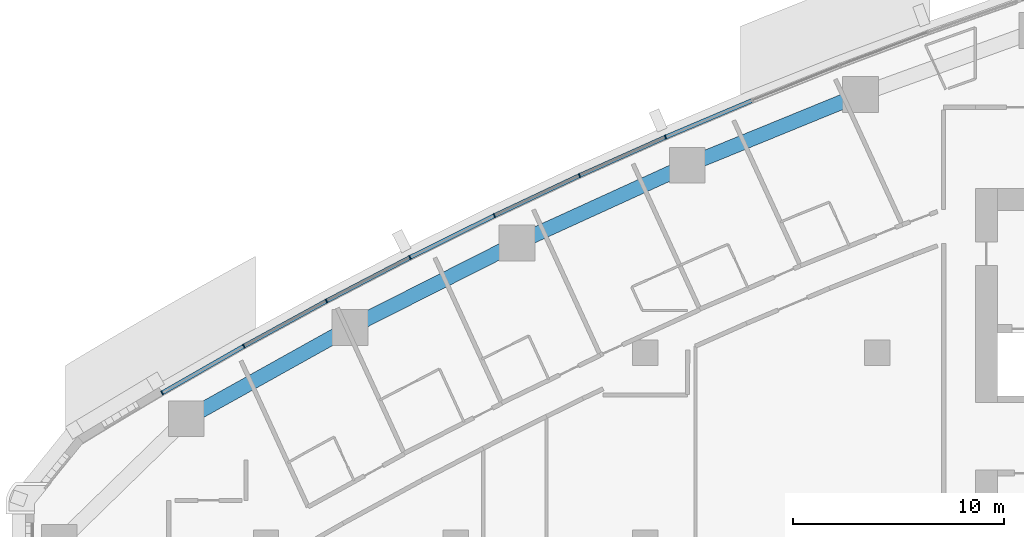
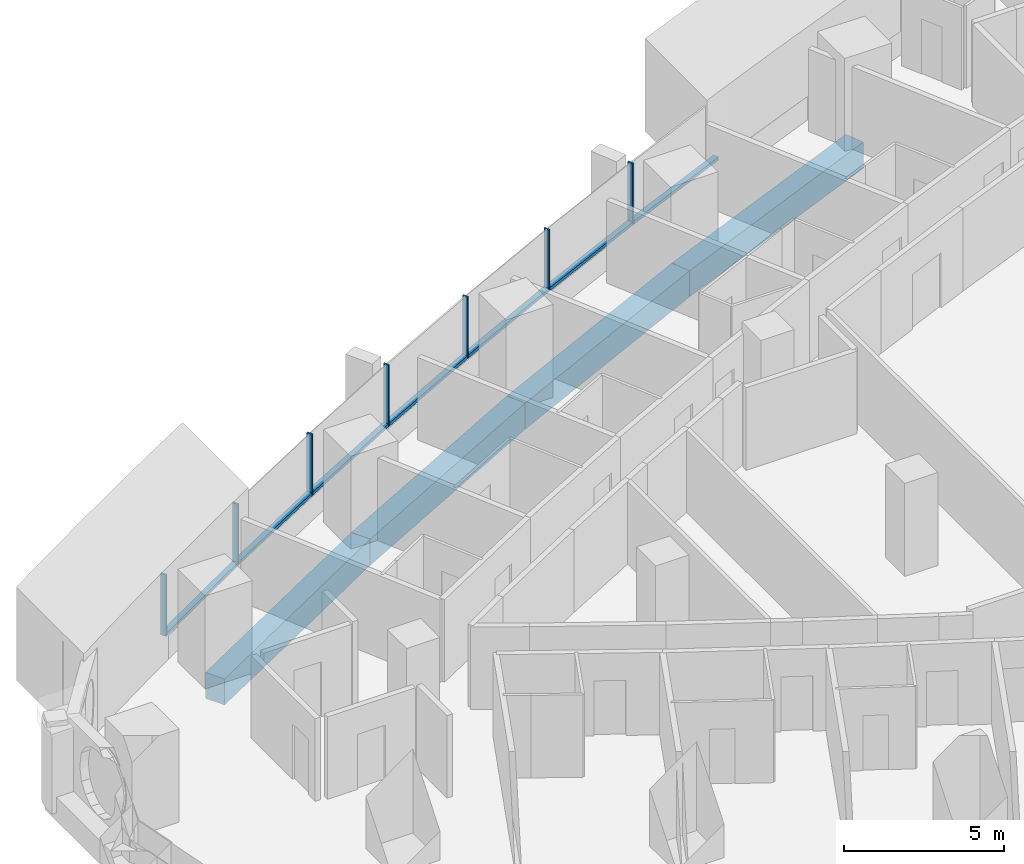
# One storey, part 5 of 17: 14 members, 4 beams, 4 elements without a shape of their own.
"""IFC4 building model written with IfcOpenShell, lengths in metres."""

from ifc_helpers import new_model, si_unit, direction, frame, origin, origin_2d, place, context, subcontext, project, spatial, rectangle, extrude, material, layer, layer_set, material_profile, profile_set, type_object, element, aggregate, save


model = new_model("IFC4")

# Units and contexts
model_context = context("Model", 3, precision=1e-05, world=origin(), true_north=direction((0.0, 1.0)))
body_context = subcontext(model_context, "Body", "Model", "MODEL_VIEW")
ifc_project = project(units=[si_unit("LENGTHUNIT", "METRE"), si_unit("AREAUNIT", "SQUARE_METRE"), si_unit("VOLUMEUNIT", "CUBIC_METRE"), si_unit("PLANEANGLEUNIT", "RADIAN"), si_unit("MASSUNIT", "GRAM", prefix="KILO")], contexts=[model_context])

# Site, building, storey
site_placement = place(None, origin())
site = spatial("IfcSite", under=ifc_project, at=site_placement, CompositionType="ELEMENT")
building_placement = place(site_placement, origin())
building = spatial("IfcBuilding", under=site, at=building_placement, Name="Ostrand Prow Hotel Tower", CompositionType="ELEMENT")
storey_placement = place(building_placement, frame((0.0, 0.0, 116.85009765625)))
storey = spatial("IfcBuildingStorey", under=building, at=storey_placement, Name="L28", CompositionType="ELEMENT", Elevation=116.85009765625)

# Beams
ifc_material_1 = material(Name="Concrete C80/95", Category="concrete")
ifc_material_profile_1 = material_profile(ifc_material_1, rectangle(XDim=0.699951171875, YDim=1.0, at=origin_2d()), Name="RC 700x1000")
ifc_profile_set_1 = profile_set([ifc_material_profile_1], Name="Concrete C80/95")
beam_type = type_object("IfcBeamType", Name="Edge beam 700x1000 C80/95", PredefinedType="SPANDREL", material=ifc_profile_set_1)
beam_1_placement = place(storey_placement, frame((44.210693359375, 21.263671875, -0.800048828125), z_axis=(-0.925612172894, -0.378473387955, 0.0), x_axis=(0.378473387955, -0.925612172894, 0.0)))
element("IfcBeam", 1, at=beam_1_placement, inside=storey, type_object=beam_type, Name="Edge beam N2-N3", PredefinedType="SPANDREL", context=body_context, shape_type="SweptSolid", body=[
    extrude(rectangle(XDim=0.699951171875, YDim=1.0, at=origin_2d()), origin(), (0.0, 0.0, 1.0), 8.88330078125),
])
beam_2_placement = place(storey_placement, frame((35.98828125, 17.901611328125, -0.800048828125), z_axis=(-0.909681006953, -0.415307675813, 0.0), x_axis=(0.415307675813, -0.909681006953, 0.0)))
element("IfcBeam", 2, at=beam_2_placement, inside=storey, type_object=beam_type, Name="Edge beam N3-N4", PredefinedType="SPANDREL", context=body_context, shape_type="SweptSolid", body=[
    extrude(rectangle(XDim=0.699951171875, YDim=1.0, at=origin_2d()), origin(), (0.0, 0.0, 1.0), 8.883544921875),
])
beam_3_placement = place(storey_placement, frame((27.906982421875, 14.212158203125, -0.800048828125), z_axis=(-0.892284288592, -0.451473973039, 0.0), x_axis=(0.451473973039, -0.892284288592, 0.0)))
element("IfcBeam", 3, at=beam_3_placement, inside=storey, type_object=beam_type, Name="Edge beam N4-N5", PredefinedType="SPANDREL", context=body_context, shape_type="SweptSolid", body=[
    extrude(rectangle(XDim=0.699951171875, YDim=1.0, at=origin_2d()), origin(), (0.0, 0.0, 1.0), 8.883056640625),
])
beam_4_placement = place(storey_placement, frame((19.980712890625, 10.20166015625, -0.800048828125), z_axis=(-0.873452439955, -0.486909473245, 0.0), x_axis=(0.486909473245, -0.873452439955, 0.0)))
element("IfcBeam", 4, at=beam_4_placement, inside=storey, type_object=beam_type, Name="Edge beam N5-N6", PredefinedType="SPANDREL", context=body_context, shape_type="SweptSolid", body=[
    extrude(rectangle(XDim=0.699951171875, YDim=1.0, at=origin_2d()), origin(), (0.0, 0.0, 1.0), 8.883544921875),
])

# Curtain wall, member
ifc_material_2 = material(Name="Insulated glass in bronze anodised frame", Category="glass")
ifc_layer = layer(ifc_material_2, 0.199951171875)
ifc_layer_set = layer_set([ifc_layer], Name="Insulated glass in bronze anodised frame")
curtain_wall_type = type_object("IfcCurtainWallType", Name="Strip curtain wall, fritted glass over bronze spandrel", PredefinedType="NOTDEFINED", material=ifc_layer_set)
curtain_wall_1_placement = place(storey_placement, origin())
curtain_wall_1 = element("IfcCurtainWall", 5, at=curtain_wall_1_placement, inside=storey, type_object=curtain_wall_type, Name="CW1 run CWN2", PredefinedType="NOTDEFINED")
ifc_material_3 = material(Name="Bronze anodised aluminium", Category="aluminium")
ifc_material_profile_2 = material_profile(ifc_material_3, rectangle(XDim=0.199951171875, YDim=0.06005859375, at=origin_2d()), Name="Mullion 60x200 bronze anodised aluminium")
ifc_profile_set_2 = profile_set([ifc_material_profile_2], Name="Bronze anodised aluminium")
member_type_1 = type_object("IfcMemberType", Name="Mullion 60x200 bronze anodised aluminium", PredefinedType="MULLION", material=ifc_profile_set_2)
member_1_placement = place(storey_placement, frame((34.95068359375, 19.233154296875, 0.89990234375), z_axis=(0.0, 0.0, 1.0), x_axis=(0.389506566255, -0.921023688536, 0.0)))
member_1 = element("IfcMember", 6, at=member_1_placement, type_object=member_type_1, Name="CW1 mullion 3", PredefinedType="MULLION", context=body_context, shape_type="SweptSolid", body=[
    extrude(rectangle(XDim=0.199951171875, YDim=0.06005859375, at=origin_2d()), origin(), (0.0, 0.0, 1.0), 2.35009765625),
])

# Curtain wall, members
curtain_wall_2_placement = place(storey_placement, origin())
curtain_wall_2 = element("IfcCurtainWall", 7, at=curtain_wall_2_placement, inside=storey, type_object=curtain_wall_type, Name="CW1 run CWN3", PredefinedType="NOTDEFINED")
member_2_placement = place(storey_placement, frame((30.872802734375, 17.41162109375, 0.89990234375), z_axis=(0.0, 0.0, 1.0), x_axis=(0.426079320162, -0.904685808958, 0.0)))
member_2 = element("IfcMember", 8, at=member_2_placement, type_object=member_type_1, Name="CW1 mullion 2", PredefinedType="MULLION", context=body_context, shape_type="SweptSolid", body=[
    extrude(rectangle(XDim=0.199951171875, YDim=0.06005859375, at=origin_2d()), origin(), (0.0, 0.0, 1.0), 2.35009765625),
])
member_3_placement = place(storey_placement, frame((26.83251953125, 15.508544921875, 0.89990234375), z_axis=(0.0, 0.0, 1.0), x_axis=(0.426079320162, -0.904685808958, 0.0)))
member_3 = element("IfcMember", 9, at=member_3_placement, type_object=member_type_1, Name="CW1 mullion 3", PredefinedType="MULLION", context=body_context, shape_type="SweptSolid", body=[
    extrude(rectangle(XDim=0.199951171875, YDim=0.06005859375, at=origin_2d()), origin(), (0.0, 0.0, 1.0), 2.35009765625),
])

curtain_wall_3_placement = place(storey_placement, origin())
curtain_wall_3 = element("IfcCurtainWall", 10, at=curtain_wall_3_placement, inside=storey, type_object=curtain_wall_type, Name="CW1 run CWN4", PredefinedType="NOTDEFINED")
member_4_placement = place(storey_placement, frame((22.831298828125, 13.525146484375, 0.89990234375), z_axis=(0.0, 0.0, 1.0), x_axis=(0.461968432937, -0.886896367661, 0.0)))
member_4 = element("IfcMember", 11, at=member_4_placement, type_object=member_type_1, Name="CW1 mullion 2", PredefinedType="MULLION", context=body_context, shape_type="SweptSolid", body=[
    extrude(rectangle(XDim=0.199951171875, YDim=0.06005859375, at=origin_2d()), origin(), (0.0, 0.0, 1.0), 2.35009765625),
])
member_5_placement = place(storey_placement, frame((18.870361328125, 11.4619140625, 0.89990234375), z_axis=(0.0, 0.0, 1.0), x_axis=(0.461968432937, -0.886896367661, 0.0)))
member_5 = element("IfcMember", 12, at=member_5_placement, type_object=member_type_1, Name="CW1 mullion 3", PredefinedType="MULLION", context=body_context, shape_type="SweptSolid", body=[
    extrude(rectangle(XDim=0.199951171875, YDim=0.06005859375, at=origin_2d()), origin(), (0.0, 0.0, 1.0), 2.35009765625),
])

curtain_wall_4_placement = place(storey_placement, origin())
curtain_wall_4 = element("IfcCurtainWall", 13, at=curtain_wall_4_placement, inside=storey, type_object=curtain_wall_type, Name="CW1 run CWN5", PredefinedType="NOTDEFINED")
member_6_placement = place(storey_placement, frame((14.951416015625, 9.320068359375, 0.89990234375), z_axis=(0.0, 0.0, 1.0), x_axis=(0.497114806368, -0.867684775301, 0.0)))
member_6 = element("IfcMember", 14, at=member_6_placement, type_object=member_type_1, Name="CW1 mullion 2", PredefinedType="MULLION", context=body_context, shape_type="SweptSolid", body=[
    extrude(rectangle(XDim=0.199951171875, YDim=0.06005859375, at=origin_2d()), origin(), (0.0, 0.0, 1.0), 2.35009765625),
])
member_7_placement = place(storey_placement, frame((11.076416015625, 7.099853515625, 0.89990234375), z_axis=(0.0, 0.0, 1.0), x_axis=(0.497114806368, -0.867684775301, 0.0)))
member_7 = element("IfcMember", 15, at=member_7_placement, type_object=member_type_1, Name="CW1 mullion 3", PredefinedType="MULLION", context=body_context, shape_type="SweptSolid", body=[
    extrude(rectangle(XDim=0.199951171875, YDim=0.06005859375, at=origin_2d()), origin(), (0.0, 0.0, 1.0), 2.35009765625),
])

# Member
ifc_material_4 = material(Name="Bronze anodised aluminium", Category="aluminium")
ifc_material_profile_3 = material_profile(ifc_material_4, rectangle(XDim=0.199951171875, YDim=0.1201171875, at=origin_2d()), Name="Transom 120x200 bronze anodised aluminium")
ifc_profile_set_3 = profile_set([ifc_material_profile_3], Name="Bronze anodised aluminium")
member_type_2 = type_object("IfcMemberType", Name="Transom 120x200 bronze anodised aluminium", PredefinedType="USERDEFINED", material=ifc_profile_set_3)
member_8_placement = place(storey_placement, frame((39.0361328125, 20.9609375, 0.9599609375), z_axis=(-0.921006250528, -0.389547797438, 0.0), x_axis=(0.389547797438, -0.921006250528, 0.0)))
member_8 = element("IfcMember", 16, at=member_8_placement, type_object=member_type_2, Name="CW1 transom 2.1", ObjectType="TRANSOM", PredefinedType="USERDEFINED", context=body_context, shape_type="SweptSolid", body=[
    extrude(rectangle(XDim=0.199951171875, YDim=0.1201171875, at=origin_2d()), origin(), (0.0, 0.0, 1.0), 4.406005859375),
])

aggregate(curtain_wall_1, [member_1, member_8])

member_9_placement = place(storey_placement, frame((34.923095703125, 19.220703125, 0.9599609375), z_axis=(-0.913030665163, -0.407890922271, 0.0), x_axis=(0.407890922271, -0.913030665163, 0.0)))
member_9 = element("IfcMember", 17, at=member_9_placement, type_object=member_type_2, Name="CW1 transom 1.1", ObjectType="TRANSOM", PredefinedType="USERDEFINED", context=body_context, shape_type="SweptSolid", body=[
    extrude(rectangle(XDim=0.199951171875, YDim=0.1201171875, at=origin_2d()), origin(), (0.0, 0.0, 1.0), 4.40576171875),
])

member_10_placement = place(storey_placement, frame((30.845703125, 17.398681640625, 0.9599609375), z_axis=(-0.904696854963, -0.42605586561, 0.0), x_axis=(0.42605586561, -0.904696854963, 0.0)))
member_10 = element("IfcMember", 18, at=member_10_placement, type_object=member_type_2, Name="CW1 transom 2.1", ObjectType="TRANSOM", PredefinedType="USERDEFINED", context=body_context, shape_type="SweptSolid", body=[
    extrude(rectangle(XDim=0.199951171875, YDim=0.1201171875, at=origin_2d()), origin(), (0.0, 0.0, 1.0), 4.406005859375),
])

aggregate(curtain_wall_2, [member_2, member_3, member_9, member_10])

member_11_placement = place(storey_placement, frame((26.8056640625, 15.495361328125, 0.9599609375), z_axis=(-0.895962348168, -0.444130015497, 0.0), x_axis=(0.444130015497, -0.895962348168, 0.0)))
member_11 = element("IfcMember", 19, at=member_11_placement, type_object=member_type_2, Name="CW1 transom 1.1", ObjectType="TRANSOM", PredefinedType="USERDEFINED", context=body_context, shape_type="SweptSolid", body=[
    extrude(rectangle(XDim=0.199951171875, YDim=0.1201171875, at=origin_2d()), origin(), (0.0, 0.0, 1.0), 4.406005859375),
])

member_12_placement = place(storey_placement, frame((22.8046875, 13.51123046875, 0.9599609375), z_axis=(-0.886901787206, -0.461958028235, 0.0), x_axis=(0.461958028235, -0.886901787206, 0.0)))
member_12 = element("IfcMember", 20, at=member_12_placement, type_object=member_type_2, Name="CW1 transom 2.1", ObjectType="TRANSOM", PredefinedType="USERDEFINED", context=body_context, shape_type="SweptSolid", body=[
    extrude(rectangle(XDim=0.199951171875, YDim=0.1201171875, at=origin_2d()), origin(), (0.0, 0.0, 1.0), 4.406005859375),
])

aggregate(curtain_wall_3, [member_4, member_5, member_11, member_12])

member_13_placement = place(storey_placement, frame((18.843994140625, 11.44775390625, 0.9599609375), z_axis=(-0.877471714137, -0.479628388328, 0.0), x_axis=(0.479628388328, -0.877471714137, 0.0)))
member_13 = element("IfcMember", 21, at=member_13_placement, type_object=member_type_2, Name="CW1 transom 1.1", ObjectType="TRANSOM", PredefinedType="USERDEFINED", context=body_context, shape_type="SweptSolid", body=[
    extrude(rectangle(XDim=0.199951171875, YDim=0.1201171875, at=origin_2d()), origin(), (0.0, 0.0, 1.0), 4.406005859375),
])

member_14_placement = place(storey_placement, frame((14.925537109375, 9.30517578125, 0.9599609375), z_axis=(-0.86766970623, -0.497141107625, 0.0), x_axis=(0.497141107625, -0.86766970623, 0.0)))
member_14 = element("IfcMember", 22, at=member_14_placement, type_object=member_type_2, Name="CW1 transom 2.1", ObjectType="TRANSOM", PredefinedType="USERDEFINED", context=body_context, shape_type="SweptSolid", body=[
    extrude(rectangle(XDim=0.199951171875, YDim=0.1201171875, at=origin_2d()), origin(), (0.0, 0.0, 1.0), 4.406005859375),
])

aggregate(curtain_wall_4, [member_6, member_7, member_13, member_14])

save(model, "model.ifc")
